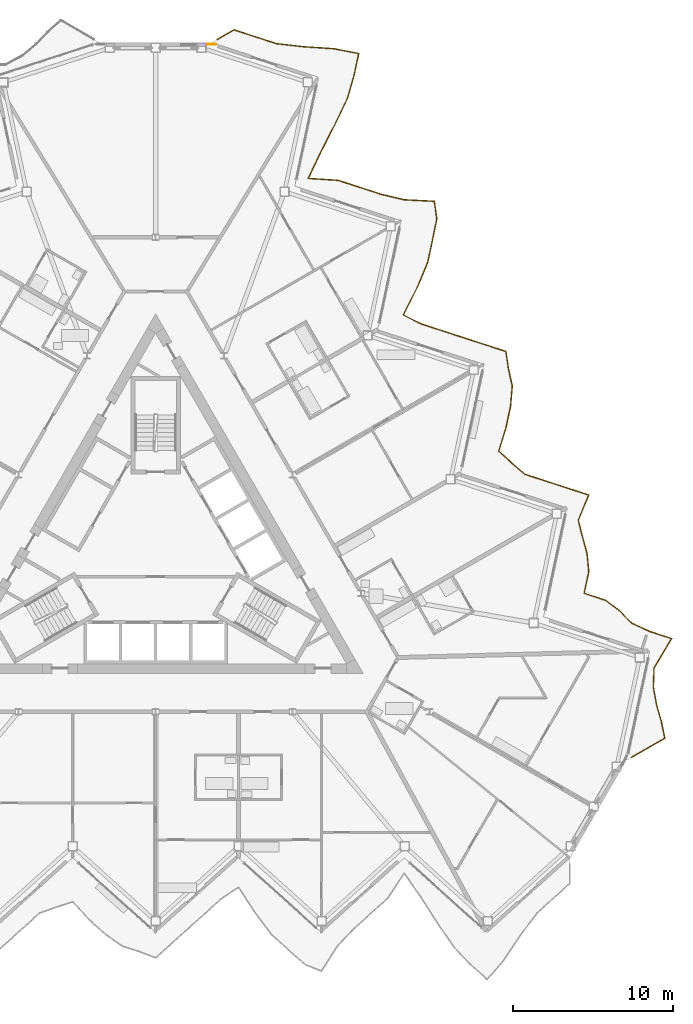
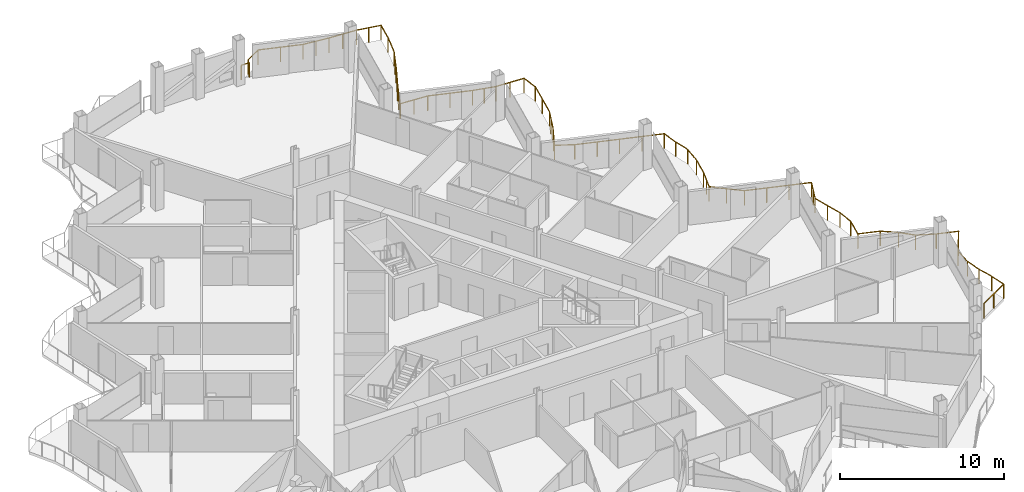
# One storey, part 26 of 28: 2 railings.
"""IFC4 building model written with IfcOpenShell, lengths in metres."""

from ifc_helpers import new_model, si_unit, direction, frame, origin, origin_2d, place, context, subcontext, project, spatial, circle, extrude, material, type_object, element, save


model = new_model("IFC4")

# Units and contexts
model_context = context("Model", 3, precision=1e-05, world=origin(), true_north=direction((0.0, 1.0)))
body_context = subcontext(model_context, "Body", "Model", "MODEL_VIEW")
ifc_project = project(units=[si_unit("LENGTHUNIT", "METRE"), si_unit("AREAUNIT", "SQUARE_METRE"), si_unit("VOLUMEUNIT", "CUBIC_METRE"), si_unit("PLANEANGLEUNIT", "RADIAN"), si_unit("MASSUNIT", "GRAM", prefix="KILO")], contexts=[model_context])

# Site, building, storey
site_placement = place(None, origin())
site = spatial("IfcSite", under=ifc_project, at=site_placement, CompositionType="ELEMENT")
building_placement = place(site_placement, origin())
building = spatial("IfcBuilding", under=site, at=building_placement, Name="Cormorant Prow Tower", CompositionType="ELEMENT")
storey_placement = place(building_placement, frame((0.0, 0.0, 305.199951171875)))
storey = spatial("IfcBuildingStorey", under=building, at=storey_placement, Name="L66", CompositionType="ELEMENT", Elevation=305.199951171875)

# Railings
ifc_material_1 = material(Name="Aluminium 6063-T6", Category="aluminium")
railing_type_1 = type_object("IfcRailingType", Name="Balcony guard 1100", PredefinedType="GUARDRAIL", material=ifc_material_1)
railing_1_placement = place(storey_placement, frame((29.80859375, -12.760009765625, 0.0)))
element("IfcRailing", 1, at=railing_1_placement, inside=storey, type_object=railing_type_1, Name="Balcony guard ENE", PredefinedType="GUARDRAIL", context=body_context, shape_type="SweptSolid", body=[
    extrude(circle(Radius=0.02392578125, at=origin_2d()), frame((0.0, 0.0, 1.076171875), z_axis=(0.866028295127, 0.499994992015, 0.0), x_axis=(-0.499994992015, 0.866028295127, 0.0)), (0.0, 0.0, 1.0), 2.40380859375),
    extrude(circle(Radius=0.02392578125, at=origin_2d()), frame((2.081787109375, 1.201904296875, 1.076171875), z_axis=(-0.202207057939, 0.979342792754, 0.0), x_axis=(-0.979342792754, -0.202207057939, 0.0)), (0.0, 0.0, 1.0), 1.093994140625),
    extrude(circle(Radius=0.02392578125, at=origin_2d()), frame((1.860595703125, 2.273193359375, 1.076171875), z_axis=(-0.276167758469, 0.961109447036, 0.0), x_axis=(-0.961109447036, -0.276167758469, 0.0)), (0.0, 0.0, 1.0), 1.069580078125),
    extrude(circle(Radius=0.02392578125, at=origin_2d()), frame((1.565185546875, 3.30126953125, 1.076171875), z_axis=(-0.17982077973, 0.983699388623, 0.0), x_axis=(-0.983699388623, -0.17982077973, 0.0)), (0.0, 0.0, 1.0), 1.1025390625),
    extrude(circle(Radius=0.02392578125, at=origin_2d()), frame((1.366943359375, 4.3857421875, 1.076171875), z_axis=(0.034901891856, 0.999390743376, 0.0), x_axis=(-0.999390743376, 0.034901891856, 0.0)), (0.0, 0.0, 1.0), 1.22412109375),
    extrude(circle(Radius=0.02392578125, at=origin_2d()), frame((1.40966796875, 5.609130859375, 1.076171875), z_axis=(0.514159813078, 0.857694401647, 0.0), x_axis=(-0.857694401647, 0.514159813078, 0.0)), (0.0, 0.0, 1.0), 2.1376953125),
    extrude(circle(Radius=0.02392578125, at=origin_2d()), frame((2.5087890625, 7.442626953125, 1.076171875), z_axis=(-0.951067455121, 0.308983326103, 0.0), x_axis=(-0.308983326103, -0.951067455121, 0.0)), (0.0, 0.0, 1.0), 1.39697265625),
    extrude(circle(Radius=0.02392578125, at=origin_2d()), frame((1.18017578125, 7.874267578125, 1.076171875), z_axis=(-0.910621709628, 0.413240973227, 0.0), x_axis=(-0.413240973227, -0.910621709628, 0.0)), (0.0, 0.0, 1.0), 1.276611328125),
    extrude(circle(Radius=0.02392578125, at=origin_2d()), frame((0.017578125, 8.40185546875, 1.076171875), z_axis=(-0.70173759295, 0.712435506303, 0.0), x_axis=(-0.712435506303, -0.70173759295, 0.0)), (0.0, 0.0, 1.0), 1.072509765625),
    extrude(circle(Radius=0.02392578125, at=origin_2d()), frame((-0.735107421875, 9.166015625, 1.076171875), z_axis=(-0.799142264692, 0.601141947283, 0.0), x_axis=(-0.601141947283, -0.799142264692, 0.0)), (0.0, 0.0, 1.0), 1.128173828125),
    extrude(circle(Radius=0.02392578125, at=origin_2d()), frame((-1.63671875, 9.84423828125, 1.076171875), z_axis=(-0.951016087818, 0.309141392751, 0.0), x_axis=(-0.309141392751, -0.951016087818, 0.0)), (0.0, 0.0, 1.0), 1.39697265625),
    extrude(circle(Radius=0.02392578125, at=origin_2d()), frame((-2.96533203125, 10.276123046875, 1.076171875), z_axis=(0.207965351097, 0.978136193351, 0.0), x_axis=(-0.978136193351, 0.207965351097, 0.0)), (0.0, 0.0, 1.0), 1.39697265625),
    extrude(circle(Radius=0.02392578125, at=origin_2d()), frame((-2.6748046875, 11.642578125, 1.076171875), z_axis=(-0.10014063101, 0.994973293119, 0.0), x_axis=(-0.994973293119, -0.10014063101, 0.0)), (0.0, 0.0, 1.0), 1.138427734375),
    extrude(circle(Radius=0.02392578125, at=origin_2d()), frame((-2.788818359375, 12.775390625, 1.076171875), z_axis=(-0.263617766506, 0.964627219802, 0.0), x_axis=(-0.964627219802, -0.263617766506, 0.0)), (0.0, 0.0, 1.0), 1.073486328125),
    extrude(circle(Radius=0.02392578125, at=origin_2d()), frame((-3.07177734375, 13.810791015625, 1.076171875), z_axis=(-0.243546445882, 0.969889235273, 0.0), x_axis=(-0.969889235273, -0.243546445882, 0.0)), (0.0, 0.0, 1.0), 1.07958984375),
    extrude(circle(Radius=0.02392578125, at=origin_2d()), frame((-3.334716796875, 14.85791015625, 1.076171875), z_axis=(0.382642581018, 0.923896452635, 0.0), x_axis=(-0.923896452635, 0.382642581018, 0.0)), (0.0, 0.0, 1.0), 1.70556640625),
    extrude(circle(Radius=0.02392578125, at=origin_2d()), frame((-2.68212890625, 16.43359375, 1.076171875), z_axis=(-0.951067455121, 0.308983326103, 0.0), x_axis=(-0.308983326103, -0.951067455121, 0.0)), (0.0, 0.0, 1.0), 1.39697265625),
    extrude(circle(Radius=0.02392578125, at=origin_2d()), frame((-4.0107421875, 16.865234375, 1.076171875), z_axis=(-0.951084135834, 0.308931977247, 0.0), x_axis=(-0.308931977247, -0.951084135834, 0.0)), (0.0, 0.0, 1.0), 1.397216796875),
    extrude(circle(Radius=0.02392578125, at=origin_2d()), frame((-5.339599609375, 17.296875, 1.076171875), z_axis=(-0.951067455121, 0.308983326103, 0.0), x_axis=(-0.308983326103, -0.951067455121, 0.0)), (0.0, 0.0, 1.0), 1.39697265625),
    extrude(circle(Radius=0.02392578125, at=origin_2d()), frame((-6.668212890625, 17.728515625, 1.076171875), z_axis=(-0.761737069825, 0.647886283582, 0.0), x_axis=(-0.647886283582, -0.761737069825, 0.0)), (0.0, 0.0, 1.0), 1.102294921875),
    extrude(circle(Radius=0.02392578125, at=origin_2d()), frame((-7.5078125, 18.442626953125, 1.076171875), z_axis=(-0.742626435866, 0.669705888248, 0.0), x_axis=(-0.669705888248, -0.742626435866, 0.0)), (0.0, 0.0, 1.0), 1.091552734375),
    extrude(circle(Radius=0.02392578125, at=origin_2d()), frame((-8.318359375, 19.173583984375, 1.076171875), z_axis=(0.296127914995, 0.955148291084, 0.0), x_axis=(-0.955148291084, 0.296127914995, 0.0)), (0.0, 0.0, 1.0), 1.528564453125),
    extrude(circle(Radius=0.02392578125, at=origin_2d()), frame((-7.86572265625, 20.633544921875, 1.076171875), z_axis=(0.207798139517, 0.978171729919, 0.0), x_axis=(-0.978171729919, 0.207798139517, 0.0)), (0.0, 0.0, 1.0), 1.39697265625),
    extrude(circle(Radius=0.02392578125, at=origin_2d()), frame((-7.575439453125, 22.0, 1.076171875), z_axis=(0.083988187629, 0.996466750242, 0.0), x_axis=(-0.996466750242, 0.083988187629, 0.0)), (0.0, 0.0, 1.0), 1.264404296875),
    extrude(circle(Radius=0.02392578125, at=origin_2d()), frame((-7.46923828125, 23.260009765625, 1.076171875), z_axis=(-0.216170602832, 0.976355606565, 0.0), x_axis=(-0.976355606565, -0.216170602832, 0.0)), (0.0, 0.0, 1.0), 1.088623046875),
    extrude(circle(Radius=0.02392578125, at=origin_2d()), frame((-7.70458984375, 24.322998046875, 1.076171875), z_axis=(-0.151168121977, 0.988508067189, 0.0), x_axis=(-0.988508067189, -0.151168121977, 0.0)), (0.0, 0.0, 1.0), 1.1142578125),
    extrude(circle(Radius=0.02392578125, at=origin_2d()), frame((-7.873046875, 25.424560546875, 1.076171875), z_axis=(-0.951084135834, 0.308931977247, 0.0), x_axis=(-0.308931977247, -0.951084135834, 0.0)), (0.0, 0.0, 1.0), 1.397216796875),
    extrude(circle(Radius=0.02392578125, at=origin_2d()), frame((-9.201904296875, 25.856201171875, 1.076171875), z_axis=(-0.951050766088, 0.309034691131, 0.0), x_axis=(-0.309034691131, -0.951050766088, 0.0)), (0.0, 0.0, 1.0), 1.396728515625),
    extrude(circle(Radius=0.02392578125, at=origin_2d()), frame((-10.5302734375, 26.287841796875, 1.076171875), z_axis=(-0.9510327847, 0.309090023174, 0.0), x_axis=(-0.309090023174, -0.9510327847, 0.0)), (0.0, 0.0, 1.0), 1.397216796875),
    extrude(circle(Radius=0.02392578125, at=origin_2d()), frame((-11.859130859375, 26.7197265625, 1.076171875), z_axis=(-0.951067455121, 0.308983326103, 0.0), x_axis=(-0.308983326103, -0.951067455121, 0.0)), (0.0, 0.0, 1.0), 1.39697265625),
    extrude(circle(Radius=0.02392578125, at=origin_2d()), frame((-13.187744140625, 27.1513671875, 1.076171875), z_axis=(-0.892410103967, 0.451225227949, 0.0), x_axis=(-0.451225227949, -0.892410103967, 0.0)), (0.0, 0.0, 1.0), 1.240234375),
    extrude(circle(Radius=0.02392578125, at=origin_2d()), frame((-14.29443359375, 27.7109375, 1.076171875), z_axis=(0.452393899594, 0.891818232382, 0.0), x_axis=(-0.891818232382, 0.452393899594, 0.0)), (0.0, 0.0, 1.0), 1.901123046875),
    extrude(circle(Radius=0.02392578125, at=origin_2d()), frame((-13.434326171875, 29.406494140625, 1.076171875), z_axis=(0.388463198386, 0.921464238861, 0.0), x_axis=(-0.921464238861, 0.388463198386, 0.0)), (0.0, 0.0, 1.0), 1.719482421875),
    extrude(circle(Radius=0.02392578125, at=origin_2d()), frame((-12.766357421875, 30.990966796875, 1.076171875), z_axis=(0.207965351097, 0.978136193351, 0.0), x_axis=(-0.978136193351, 0.207965351097, 0.0)), (0.0, 0.0, 1.0), 1.39697265625),
    extrude(circle(Radius=0.02392578125, at=origin_2d()), frame((-12.475830078125, 32.357421875, 1.076171875), z_axis=(0.202495261585, 0.979283242497, 0.0), x_axis=(-0.979283242497, 0.202495261585, 0.0)), (0.0, 0.0, 1.0), 1.39013671875),
    extrude(circle(Radius=0.02392578125, at=origin_2d()), frame((-12.1943359375, 33.71875, 1.076171875), z_axis=(-0.13839987533, 0.990376430711, 0.0), x_axis=(-0.990376430711, -0.13839987533, 0.0)), (0.0, 0.0, 1.0), 1.1201171875),
    extrude(circle(Radius=0.02392578125, at=origin_2d()), frame((-12.349365234375, 34.828125, 1.076171875), z_axis=(-0.998705371027, 0.050868279712, 0.0), x_axis=(-0.050868279712, -0.998705371027, 0.0)), (0.0, 0.0, 1.0), 1.91015625),
    extrude(circle(Radius=0.02392578125, at=origin_2d()), frame((-14.257080078125, 34.92529296875, 1.076171875), z_axis=(-0.972074559977, 0.23467221788, 0.0), x_axis=(-0.23467221788, -0.972074559977, 0.0)), (0.0, 0.0, 1.0), 1.50634765625),
    extrude(circle(Radius=0.02392578125, at=origin_2d()), frame((-15.721435546875, 35.27880859375, 1.076171875), z_axis=(-0.951067455121, 0.308983326103, 0.0), x_axis=(-0.308983326103, -0.951067455121, 0.0)), (0.0, 0.0, 1.0), 1.39697265625),
    extrude(circle(Radius=0.02392578125, at=origin_2d()), frame((-17.050048828125, 35.71044921875, 1.076171875), z_axis=(-0.951067455121, 0.308983326103, 0.0), x_axis=(-0.308983326103, -0.951067455121, 0.0)), (0.0, 0.0, 1.0), 1.39697265625),
    extrude(circle(Radius=0.02392578125, at=origin_2d()), frame((-18.378662109375, 36.14208984375, 1.076171875), z_axis=(-0.997958137122, 0.063871406373, 0.0), x_axis=(-0.063871406373, -0.997958137122, 0.0)), (0.0, 0.0, 1.0), 1.873046875),
    extrude(circle(Radius=0.02392578125, at=origin_2d()), frame((-20.247802734375, 36.26171875, 1.076171875), z_axis=(0.430073253651, 0.902793994494, 0.0), x_axis=(-0.902793994494, 0.430073253651, 0.0)), (0.0, 0.0, 1.0), 1.831787109375),
    extrude(circle(Radius=0.02392578125, at=origin_2d()), frame((-19.4599609375, 37.91552734375, 1.076171875), z_axis=(0.457371028949, 0.889275964973, 0.0), x_axis=(-0.889275964973, 0.457371028949, 0.0)), (0.0, 0.0, 1.0), 1.91748046875),
    extrude(circle(Radius=0.02392578125, at=origin_2d()), frame((-18.5830078125, 39.62060546875, 1.076171875), z_axis=(0.432000849801, 0.901873198277, 0.0), x_axis=(-0.901873198277, 0.432000849801, 0.0)), (0.0, 0.0, 1.0), 1.837158203125),
    extrude(circle(Radius=0.02392578125, at=origin_2d()), frame((-17.789306640625, 41.277587890625, 1.076171875), z_axis=(0.276230142763, 0.961091519175, 0.0), x_axis=(-0.961091519175, 0.276230142763, 0.0)), (0.0, 0.0, 1.0), 1.495361328125),
    extrude(circle(Radius=0.02392578125, at=origin_2d()), frame((-17.376220703125, 42.71484375, 1.076171875), z_axis=(0.207798139517, 0.978171729919, 0.0), x_axis=(-0.978171729919, 0.207798139517, 0.0)), (0.0, 0.0, 1.0), 1.39697265625),
    extrude(circle(Radius=0.02392578125, at=origin_2d()), frame((-17.0859375, 44.081298828125, 1.076171875), z_axis=(-0.981811369359, 0.189858987137, 0.0), x_axis=(-0.189858987137, -0.981811369359, 0.0)), (0.0, 0.0, 1.0), 1.584228515625),
    extrude(circle(Radius=0.02392578125, at=origin_2d()), frame((-18.641357421875, 44.382080078125, 1.076171875), z_axis=(-0.997911492588, 0.064596075432, 0.0), x_axis=(-0.064596075432, -0.997911492588, 0.0)), (0.0, 0.0, 1.0), 1.870849609375),
    extrude(circle(Radius=0.02392578125, at=origin_2d()), frame((-20.50830078125, 44.5029296875, 1.076171875), z_axis=(-0.993502406121, 0.113811111199, 0.0), x_axis=(-0.113811111199, -0.993502406121, 0.0)), (0.0, 0.0, 1.0), 1.743896484375),
    extrude(circle(Radius=0.02392578125, at=origin_2d()), frame((-22.240966796875, 44.701416015625, 1.076171875), z_axis=(-0.951016087818, 0.309141392751, 0.0), x_axis=(-0.309141392751, -0.951016087818, 0.0)), (0.0, 0.0, 1.0), 1.39697265625),
    extrude(circle(Radius=0.02392578125, at=origin_2d()), frame((-23.569580078125, 45.13330078125, 1.076171875), z_axis=(-0.951067455121, 0.308983326103, 0.0), x_axis=(-0.308983326103, -0.951067455121, 0.0)), (0.0, 0.0, 1.0), 1.39697265625),
    extrude(circle(Radius=0.02392578125, at=origin_2d()), frame((-24.898193359375, 45.56494140625, 1.076171875), z_axis=(-0.866005645448, -0.500034220881, 0.0), x_axis=(0.500034220881, -0.866005645448, 0.0)), (0.0, 0.0, 1.0), 1.22021484375),
    extrude(circle(Radius=0.02099609375, at=origin_2d()), origin(), (0.0, 0.0, 1.0), 1.052001953125),
    extrude(circle(Radius=0.02099609375, at=origin_2d()), frame((1.041015625, 0.60107421875, 0.0)), (0.0, 0.0, 1.0), 1.052001953125),
    extrude(circle(Radius=0.02099609375, at=origin_2d()), frame((2.081787109375, 1.201904296875, 0.0)), (0.0, 0.0, 1.0), 1.052001953125),
    extrude(circle(Radius=0.02099609375, at=origin_2d()), frame((1.860595703125, 2.273193359375, 0.0)), (0.0, 0.0, 1.0), 1.052001953125),
    extrude(circle(Radius=0.02099609375, at=origin_2d()), frame((1.565185546875, 3.30126953125, 0.0)), (0.0, 0.0, 1.0), 1.052001953125),
    extrude(circle(Radius=0.02099609375, at=origin_2d()), frame((1.366943359375, 4.3857421875, 0.0)), (0.0, 0.0, 1.0), 1.052001953125),
    extrude(circle(Radius=0.02099609375, at=origin_2d()), frame((1.40966796875, 5.609130859375, 0.0)), (0.0, 0.0, 1.0), 1.052001953125),
    extrude(circle(Radius=0.02099609375, at=origin_2d()), frame((1.959228515625, 6.52587890625, 0.0)), (0.0, 0.0, 1.0), 1.052001953125),
    extrude(circle(Radius=0.02099609375, at=origin_2d()), frame((2.5087890625, 7.442626953125, 0.0)), (0.0, 0.0, 1.0), 1.052001953125),
    extrude(circle(Radius=0.02099609375, at=origin_2d()), frame((1.18017578125, 7.874267578125, 0.0)), (0.0, 0.0, 1.0), 1.052001953125),
    extrude(circle(Radius=0.02099609375, at=origin_2d()), frame((0.017578125, 8.40185546875, 0.0)), (0.0, 0.0, 1.0), 1.052001953125),
    extrude(circle(Radius=0.02099609375, at=origin_2d()), frame((-0.735107421875, 9.166015625, 0.0)), (0.0, 0.0, 1.0), 1.052001953125),
    extrude(circle(Radius=0.02099609375, at=origin_2d()), frame((-1.63671875, 9.84423828125, 0.0)), (0.0, 0.0, 1.0), 1.052001953125),
    extrude(circle(Radius=0.02099609375, at=origin_2d()), frame((-2.96533203125, 10.276123046875, 0.0)), (0.0, 0.0, 1.0), 1.052001953125),
    extrude(circle(Radius=0.02099609375, at=origin_2d()), frame((-2.6748046875, 11.642578125, 0.0)), (0.0, 0.0, 1.0), 1.052001953125),
    extrude(circle(Radius=0.02099609375, at=origin_2d()), frame((-2.788818359375, 12.775390625, 0.0)), (0.0, 0.0, 1.0), 1.052001953125),
    extrude(circle(Radius=0.02099609375, at=origin_2d()), frame((-3.07177734375, 13.810791015625, 0.0)), (0.0, 0.0, 1.0), 1.052001953125),
    extrude(circle(Radius=0.02099609375, at=origin_2d()), frame((-3.334716796875, 14.85791015625, 0.0)), (0.0, 0.0, 1.0), 1.052001953125),
    extrude(circle(Radius=0.02099609375, at=origin_2d()), frame((-3.00830078125, 15.645751953125, 0.0)), (0.0, 0.0, 1.0), 1.052001953125),
    extrude(circle(Radius=0.02099609375, at=origin_2d()), frame((-2.68212890625, 16.43359375, 0.0)), (0.0, 0.0, 1.0), 1.052001953125),
    extrude(circle(Radius=0.02099609375, at=origin_2d()), frame((-4.0107421875, 16.865234375, 0.0)), (0.0, 0.0, 1.0), 1.052001953125),
    extrude(circle(Radius=0.02099609375, at=origin_2d()), frame((-5.339599609375, 17.296875, 0.0)), (0.0, 0.0, 1.0), 1.052001953125),
    extrude(circle(Radius=0.02099609375, at=origin_2d()), frame((-6.668212890625, 17.728515625, 0.0)), (0.0, 0.0, 1.0), 1.052001953125),
    extrude(circle(Radius=0.02099609375, at=origin_2d()), frame((-7.5078125, 18.442626953125, 0.0)), (0.0, 0.0, 1.0), 1.052001953125),
    extrude(circle(Radius=0.02099609375, at=origin_2d()), frame((-8.318359375, 19.173583984375, 0.0)), (0.0, 0.0, 1.0), 1.052001953125),
    extrude(circle(Radius=0.02099609375, at=origin_2d()), frame((-8.092041015625, 19.903564453125, 0.0)), (0.0, 0.0, 1.0), 1.052001953125),
    extrude(circle(Radius=0.02099609375, at=origin_2d()), frame((-7.86572265625, 20.633544921875, 0.0)), (0.0, 0.0, 1.0), 1.052001953125),
    extrude(circle(Radius=0.02099609375, at=origin_2d()), frame((-7.575439453125, 22.0, 0.0)), (0.0, 0.0, 1.0), 1.052001953125),
    extrude(circle(Radius=0.02099609375, at=origin_2d()), frame((-7.46923828125, 23.260009765625, 0.0)), (0.0, 0.0, 1.0), 1.052001953125),
    extrude(circle(Radius=0.02099609375, at=origin_2d()), frame((-7.70458984375, 24.322998046875, 0.0)), (0.0, 0.0, 1.0), 1.052001953125),
    extrude(circle(Radius=0.02099609375, at=origin_2d()), frame((-7.873046875, 25.424560546875, 0.0)), (0.0, 0.0, 1.0), 1.052001953125),
    extrude(circle(Radius=0.02099609375, at=origin_2d()), frame((-9.201904296875, 25.856201171875, 0.0)), (0.0, 0.0, 1.0), 1.052001953125),
    extrude(circle(Radius=0.02099609375, at=origin_2d()), frame((-10.5302734375, 26.287841796875, 0.0)), (0.0, 0.0, 1.0), 1.052001953125),
    extrude(circle(Radius=0.02099609375, at=origin_2d()), frame((-11.859130859375, 26.7197265625, 0.0)), (0.0, 0.0, 1.0), 1.052001953125),
    extrude(circle(Radius=0.02099609375, at=origin_2d()), frame((-13.187744140625, 27.1513671875, 0.0)), (0.0, 0.0, 1.0), 1.052001953125),
    extrude(circle(Radius=0.02099609375, at=origin_2d()), frame((-14.29443359375, 27.7109375, 0.0)), (0.0, 0.0, 1.0), 1.052001953125),
    extrude(circle(Radius=0.02099609375, at=origin_2d()), frame((-13.8642578125, 28.55859375, 0.0)), (0.0, 0.0, 1.0), 1.052001953125),
    extrude(circle(Radius=0.02099609375, at=origin_2d()), frame((-13.434326171875, 29.406494140625, 0.0)), (0.0, 0.0, 1.0), 1.052001953125),
    extrude(circle(Radius=0.02099609375, at=origin_2d()), frame((-13.100341796875, 30.19873046875, 0.0)), (0.0, 0.0, 1.0), 1.052001953125),
    extrude(circle(Radius=0.02099609375, at=origin_2d()), frame((-12.766357421875, 30.990966796875, 0.0)), (0.0, 0.0, 1.0), 1.052001953125),
    extrude(circle(Radius=0.02099609375, at=origin_2d()), frame((-12.475830078125, 32.357421875, 0.0)), (0.0, 0.0, 1.0), 1.052001953125),
    extrude(circle(Radius=0.02099609375, at=origin_2d()), frame((-12.1943359375, 33.71875, 0.0)), (0.0, 0.0, 1.0), 1.052001953125),
    extrude(circle(Radius=0.02099609375, at=origin_2d()), frame((-12.349365234375, 34.828125, 0.0)), (0.0, 0.0, 1.0), 1.052001953125),
    extrude(circle(Radius=0.02099609375, at=origin_2d()), frame((-13.30322265625, 34.876708984375, 0.0)), (0.0, 0.0, 1.0), 1.052001953125),
    extrude(circle(Radius=0.02099609375, at=origin_2d()), frame((-14.257080078125, 34.92529296875, 0.0)), (0.0, 0.0, 1.0), 1.052001953125),
    extrude(circle(Radius=0.02099609375, at=origin_2d()), frame((-14.9892578125, 35.10205078125, 0.0)), (0.0, 0.0, 1.0), 1.052001953125),
    extrude(circle(Radius=0.02099609375, at=origin_2d()), frame((-15.721435546875, 35.27880859375, 0.0)), (0.0, 0.0, 1.0), 1.052001953125),
    extrude(circle(Radius=0.02099609375, at=origin_2d()), frame((-17.050048828125, 35.71044921875, 0.0)), (0.0, 0.0, 1.0), 1.052001953125),
    extrude(circle(Radius=0.02099609375, at=origin_2d()), frame((-18.378662109375, 36.14208984375, 0.0)), (0.0, 0.0, 1.0), 1.052001953125),
    extrude(circle(Radius=0.02099609375, at=origin_2d()), frame((-19.313232421875, 36.201904296875, 0.0)), (0.0, 0.0, 1.0), 1.052001953125),
    extrude(circle(Radius=0.02099609375, at=origin_2d()), frame((-20.247802734375, 36.26171875, 0.0)), (0.0, 0.0, 1.0), 1.052001953125),
    extrude(circle(Radius=0.02099609375, at=origin_2d()), frame((-19.85400390625, 37.088623046875, 0.0)), (0.0, 0.0, 1.0), 1.052001953125),
    extrude(circle(Radius=0.02099609375, at=origin_2d()), frame((-19.4599609375, 37.91552734375, 0.0)), (0.0, 0.0, 1.0), 1.052001953125),
    extrude(circle(Radius=0.02099609375, at=origin_2d()), frame((-19.021484375, 38.76806640625, 0.0)), (0.0, 0.0, 1.0), 1.052001953125),
    extrude(circle(Radius=0.02099609375, at=origin_2d()), frame((-18.5830078125, 39.62060546875, 0.0)), (0.0, 0.0, 1.0), 1.052001953125),
    extrude(circle(Radius=0.02099609375, at=origin_2d()), frame((-18.18603515625, 40.44921875, 0.0)), (0.0, 0.0, 1.0), 1.052001953125),
    extrude(circle(Radius=0.02099609375, at=origin_2d()), frame((-17.789306640625, 41.277587890625, 0.0)), (0.0, 0.0, 1.0), 1.052001953125),
    extrude(circle(Radius=0.02099609375, at=origin_2d()), frame((-17.376220703125, 42.71484375, 0.0)), (0.0, 0.0, 1.0), 1.052001953125),
    extrude(circle(Radius=0.02099609375, at=origin_2d()), frame((-17.0859375, 44.081298828125, 0.0)), (0.0, 0.0, 1.0), 1.052001953125),
    extrude(circle(Radius=0.02099609375, at=origin_2d()), frame((-17.86376953125, 44.231689453125, 0.0)), (0.0, 0.0, 1.0), 1.052001953125),
    extrude(circle(Radius=0.02099609375, at=origin_2d()), frame((-18.641357421875, 44.382080078125, 0.0)), (0.0, 0.0, 1.0), 1.052001953125),
    extrude(circle(Radius=0.02099609375, at=origin_2d()), frame((-19.57470703125, 44.4423828125, 0.0)), (0.0, 0.0, 1.0), 1.052001953125),
    extrude(circle(Radius=0.02099609375, at=origin_2d()), frame((-20.50830078125, 44.5029296875, 0.0)), (0.0, 0.0, 1.0), 1.052001953125),
    extrude(circle(Radius=0.02099609375, at=origin_2d()), frame((-21.37451171875, 44.60205078125, 0.0)), (0.0, 0.0, 1.0), 1.052001953125),
    extrude(circle(Radius=0.02099609375, at=origin_2d()), frame((-22.240966796875, 44.701416015625, 0.0)), (0.0, 0.0, 1.0), 1.052001953125),
    extrude(circle(Radius=0.02099609375, at=origin_2d()), frame((-23.569580078125, 45.13330078125, 0.0)), (0.0, 0.0, 1.0), 1.052001953125),
    extrude(circle(Radius=0.02099609375, at=origin_2d()), frame((-24.898193359375, 45.56494140625, 0.0)), (0.0, 0.0, 1.0), 1.052001953125),
    extrude(circle(Radius=0.02099609375, at=origin_2d()), frame((-25.954833984375, 44.954833984375, 0.0)), (0.0, 0.0, 1.0), 1.052001953125),
])
ifc_material_2 = material(Name="Stainless steel", Category="steel")
railing_type_2 = type_object("IfcRailingType", Name="Facade corner guard 1100", PredefinedType="GUARDRAIL", material=ifc_material_2)
railing_2_placement = place(storey_placement, frame((3.19384765625, 31.89990234375, 0.0)))
element("IfcRailing", 2, at=railing_2_placement, inside=storey, type_object=railing_type_2, Name="Facade corner guard L66 2", PredefinedType="GUARDRAIL", context=body_context, shape_type="SweptSolid", body=[
    extrude(circle(Radius=0.02392578125, at=origin_2d()), frame((0.0, 0.0, 1.076171875), z_axis=(1.0, 0.0, 0.0), x_axis=(0.0, 1.0, 0.0)), (0.0, 0.0, 1.0), 0.571044921875),
    extrude(circle(Radius=0.02099609375, at=origin_2d()), origin(), (0.0, 0.0, 1.0), 1.052001953125),
    extrude(circle(Radius=0.02099609375, at=origin_2d()), frame((0.571044921875, 0.0, 0.0)), (0.0, 0.0, 1.0), 1.052001953125),
])

save(model, "model.ifc")
